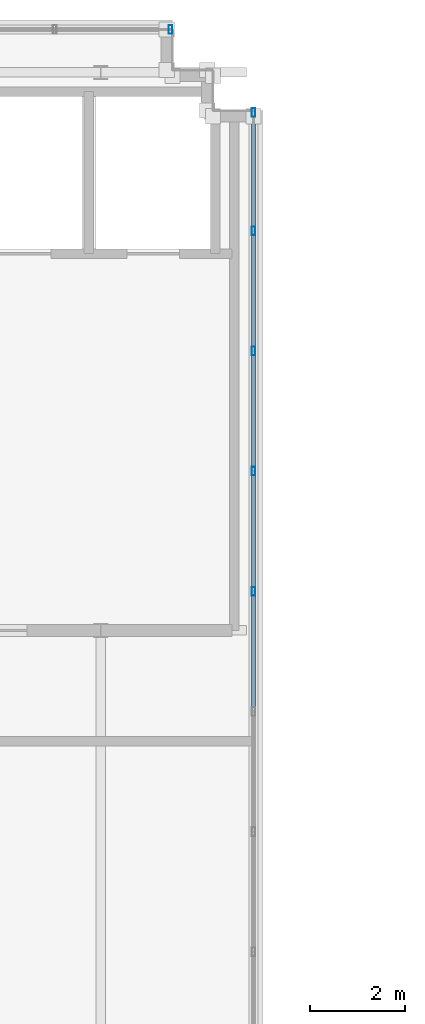
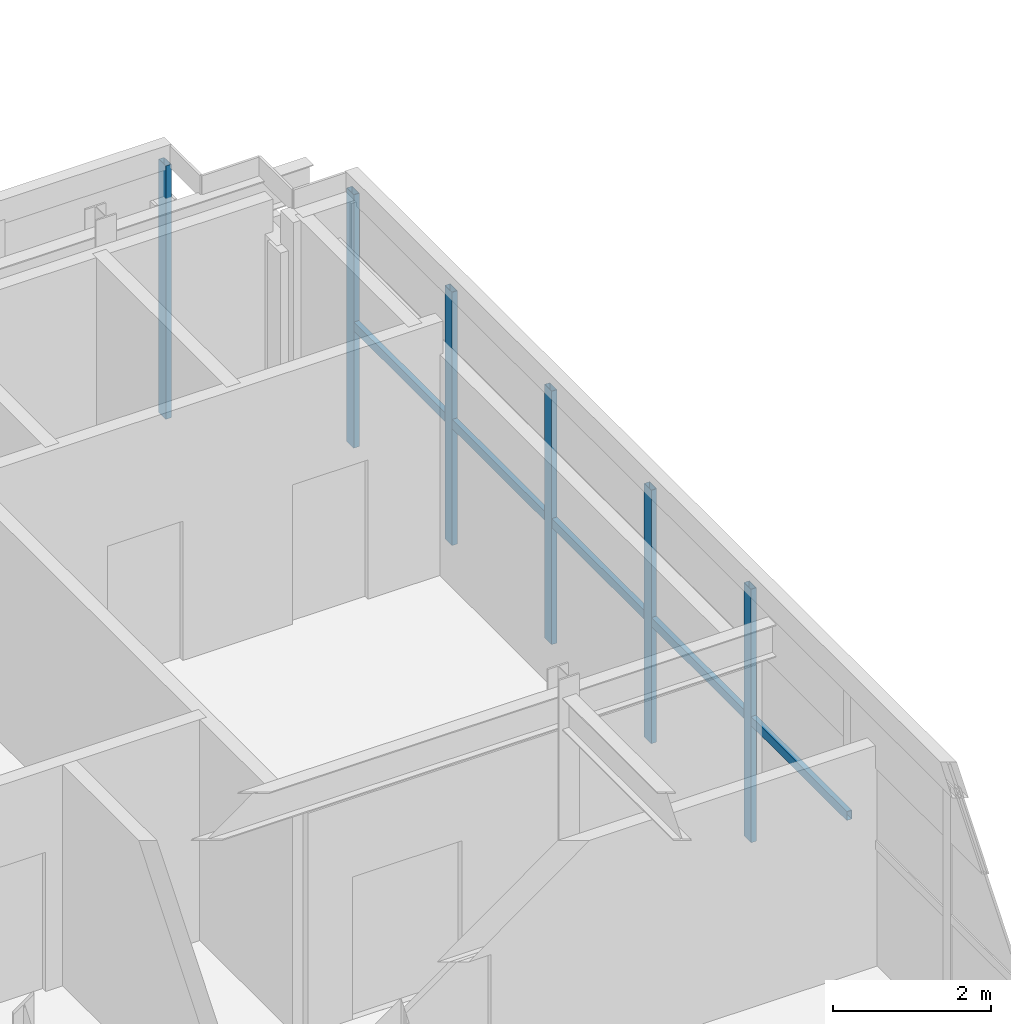
# One storey, part 11 of 25: 11 members, 2 elements without a shape of their own.
"""IFC4 building model written with IfcOpenShell, lengths in metres."""

from ifc_helpers import new_model, si_unit, direction, frame, origin, origin_2d, place, context, subcontext, project, spatial, hollow_rectangle, extrude, source, transform, mapped, material, material_profile, profile_set, type_object, element, aggregate, save


model = new_model("IFC4")

# Units and contexts
model_context = context("Model", 3, precision=1e-05, world=origin(), true_north=direction((0.0, 1.0)))
body_context = subcontext(model_context, "Body", "Model", "MODEL_VIEW")
ifc_project = project(units=[si_unit("LENGTHUNIT", "METRE"), si_unit("AREAUNIT", "SQUARE_METRE"), si_unit("VOLUMEUNIT", "CUBIC_METRE"), si_unit("PLANEANGLEUNIT", "RADIAN"), si_unit("MASSUNIT", "GRAM", prefix="KILO")], contexts=[model_context])

# Site, building, storey
site_placement = place(None, origin())
site = spatial("IfcSite", under=ifc_project, at=site_placement, CompositionType="ELEMENT")
building_placement = place(site_placement, origin())
building = spatial("IfcBuilding", under=site, at=building_placement, Name="Trelvane Seafront Commons", CompositionType="ELEMENT")
storey_placement = place(building_placement, frame((0.0, 0.0, 316.699951171875)))
storey = spatial("IfcBuildingStorey", under=building, at=storey_placement, Name="L82", CompositionType="ELEMENT", Elevation=316.699951171875)

# Curtain wall, member
ifc_material = material(Name="Anodised pale-silver aluminium", Category="aluminium")
curtain_wall_type = type_object("IfcCurtainWallType", Name="ARCH-CW6-CROWN", PredefinedType="NOTDEFINED", material=ifc_material)
curtain_wall_1_placement = place(storey_placement, origin())
curtain_wall_1 = element("IfcCurtainWall", 1, at=curtain_wall_1_placement, inside=storey, type_object=curtain_wall_type, Name="CW-L82-0153", PredefinedType="NOTDEFINED")
ifc_material_profile_1 = material_profile(ifc_material, hollow_rectangle(XDim=0.080078125, YDim=0.179931640625, WallThickness=0.00439453125, at=origin_2d()), Name="MULL-80x180x4.5")
ifc_profile_set_1 = profile_set([ifc_material_profile_1], Name="Anodised pale-silver aluminium")
member_type_1 = type_object("IfcMemberType", Name="ARCH-CW-MULL-180", PredefinedType="MULLION", material=ifc_profile_set_1)
shared_shape_1 = source(origin(), body_context, "Body", "SweptSolid", [
    extrude(hollow_rectangle(XDim=0.080078125, YDim=0.179931640625, WallThickness=0.00439453125, at=origin_2d()), origin(), (0.0, 0.0, 1.0), 3.91015625),
])
member_1_placement = place(storey_placement, frame((24.860107421875, 46.0, 0.0), z_axis=(0.0, 0.0, 1.0), x_axis=(1.0, 0.0, 0.0)))
member_1 = element("IfcMember", 2, at=member_1_placement, type_object=member_type_1, Name="CW-L82-0153-M06", PredefinedType="MULLION", context=body_context, shape_type="MappedRepresentation", body=[
    mapped(shared_shape_1, transform((0.0, 0.0, 0.0), x_axis=(1.0, 0.0, 0.0), y_axis=(0.0, 1.0, 0.0), z_axis=(0.0, 0.0, 1.0), scale=1.0)),
])
aggregate(curtain_wall_1, [member_1])

# Curtain wall, members
curtain_wall_2_placement = place(storey_placement, origin())
curtain_wall_2 = element("IfcCurtainWall", 3, at=curtain_wall_2_placement, inside=storey, type_object=curtain_wall_type, Name="CW-L82-0154", PredefinedType="NOTDEFINED")
member_2_placement = place(storey_placement, frame((26.60009765625, 44.260009765625, 0.0), z_axis=(0.0, 0.0, 1.0), x_axis=(1.0, 0.0, 0.0)))
member_2 = element("IfcMember", 4, at=member_2_placement, type_object=member_type_1, Name="CW-L82-0154-M00", PredefinedType="MULLION", context=body_context, shape_type="MappedRepresentation", body=[
    mapped(shared_shape_1, transform((0.0, 0.0, 0.0), x_axis=(1.0, 0.0, 0.0), y_axis=(0.0, 1.0, 0.0), z_axis=(0.0, 0.0, 1.0), scale=1.0)),
])
member_3_placement = place(storey_placement, frame((26.60009765625, 41.780029296875, 0.0), z_axis=(0.0, 0.0, 1.0), x_axis=(1.0, 0.0, 0.0)))
member_3 = element("IfcMember", 5, at=member_3_placement, type_object=member_type_1, Name="CW-L82-0154-M01", PredefinedType="MULLION", context=body_context, shape_type="MappedRepresentation", body=[
    mapped(shared_shape_1, transform((0.0, 0.0, 0.0), x_axis=(1.0, 0.0, 0.0), y_axis=(0.0, 1.0, 0.0), z_axis=(0.0, 0.0, 1.0), scale=1.0)),
])
member_4_placement = place(storey_placement, frame((26.60009765625, 39.260009765625, 0.0), z_axis=(0.0, 0.0, 1.0), x_axis=(1.0, 0.0, 0.0)))
member_4 = element("IfcMember", 6, at=member_4_placement, type_object=member_type_1, Name="CW-L82-0154-M02", PredefinedType="MULLION", context=body_context, shape_type="MappedRepresentation", body=[
    mapped(shared_shape_1, transform((0.0, 0.0, 0.0), x_axis=(1.0, 0.0, 0.0), y_axis=(0.0, 1.0, 0.0), z_axis=(0.0, 0.0, 1.0), scale=1.0)),
])
member_5_placement = place(storey_placement, frame((26.60009765625, 36.739990234375, 0.0), z_axis=(0.0, 0.0, 1.0), x_axis=(1.0, 0.0, 0.0)))
member_5 = element("IfcMember", 7, at=member_5_placement, type_object=member_type_1, Name="CW-L82-0154-M03", PredefinedType="MULLION", context=body_context, shape_type="MappedRepresentation", body=[
    mapped(shared_shape_1, transform((0.0, 0.0, 0.0), x_axis=(1.0, 0.0, 0.0), y_axis=(0.0, 1.0, 0.0), z_axis=(0.0, 0.0, 1.0), scale=1.0)),
])
member_6_placement = place(storey_placement, frame((26.60009765625, 34.219970703125, 0.0), z_axis=(0.0, 0.0, 1.0), x_axis=(1.0, 0.0, 0.0)))
member_6 = element("IfcMember", 8, at=member_6_placement, type_object=member_type_1, Name="CW-L82-0154-M04", PredefinedType="MULLION", context=body_context, shape_type="MappedRepresentation", body=[
    mapped(shared_shape_1, transform((0.0, 0.0, 0.0), x_axis=(1.0, 0.0, 0.0), y_axis=(0.0, 1.0, 0.0), z_axis=(0.0, 0.0, 1.0), scale=1.0)),
])
ifc_material_profile_2 = material_profile(ifc_material, hollow_rectangle(XDim=0.074951171875, YDim=0.139892578125, WallThickness=0.00390625, at=origin_2d()), Name="TRAN-75x140x4")
ifc_profile_set_2 = profile_set([ifc_material_profile_2], Name="Anodised pale-silver aluminium")
member_type_2 = type_object("IfcMemberType", Name="ARCH-CW-TRAN-140", PredefinedType="USERDEFINED", material=ifc_profile_set_2)
shared_shape_2 = source(origin(), body_context, "Body", "SweptSolid", [
    extrude(hollow_rectangle(XDim=0.074951171875, YDim=0.139892578125, WallThickness=0.00390625, at=origin_2d()), origin(), (0.0, 0.0, 1.0), 2.49609375),
])
member_7_placement = place(storey_placement, frame((26.60009765625, 44.2880859375, 1.876953125), z_axis=(0.0, -1.0, 0.0), x_axis=(1.0, 0.0, 0.0)))
member_7 = element("IfcMember", 9, at=member_7_placement, type_object=member_type_2, Name="CW-L82-0154-T00", ObjectType="TRANSOM", PredefinedType="USERDEFINED", context=body_context, shape_type="MappedRepresentation", body=[
    mapped(shared_shape_2, transform((0.0, 0.0, 0.0), x_axis=(1.0, 0.0, 0.0), y_axis=(0.0, 1.0, 0.0), z_axis=(0.0, 0.0, 1.0), scale=1.0)),
])
member_8_placement = place(storey_placement, frame((26.60009765625, 41.76806640625, 1.876953125), z_axis=(0.0, -1.0, 0.0), x_axis=(1.0, 0.0, 0.0)))
member_8 = element("IfcMember", 10, at=member_8_placement, type_object=member_type_2, Name="CW-L82-0154-T01", ObjectType="TRANSOM", PredefinedType="USERDEFINED", context=body_context, shape_type="MappedRepresentation", body=[
    mapped(shared_shape_2, transform((0.0, 0.0, 0.0), x_axis=(1.0, 0.0, 0.0), y_axis=(0.0, 1.0, 0.0), z_axis=(0.0, 0.0, 1.0), scale=1.0)),
])
member_9_placement = place(storey_placement, frame((26.60009765625, 39.248046875, 1.876953125), z_axis=(0.0, -1.0, 0.0), x_axis=(1.0, 0.0, 0.0)))
member_9 = element("IfcMember", 11, at=member_9_placement, type_object=member_type_2, Name="CW-L82-0154-T02", ObjectType="TRANSOM", PredefinedType="USERDEFINED", context=body_context, shape_type="MappedRepresentation", body=[
    mapped(shared_shape_2, transform((0.0, 0.0, 0.0), x_axis=(1.0, 0.0, 0.0), y_axis=(0.0, 1.0, 0.0), z_axis=(0.0, 0.0, 1.0), scale=1.0)),
])
member_10_placement = place(storey_placement, frame((26.60009765625, 36.72802734375, 1.876953125), z_axis=(0.0, -1.0, 0.0), x_axis=(1.0, 0.0, 0.0)))
member_10 = element("IfcMember", 12, at=member_10_placement, type_object=member_type_2, Name="CW-L82-0154-T03", ObjectType="TRANSOM", PredefinedType="USERDEFINED", context=body_context, shape_type="MappedRepresentation", body=[
    mapped(shared_shape_2, transform((0.0, 0.0, 0.0), x_axis=(1.0, 0.0, 0.0), y_axis=(0.0, 1.0, 0.0), z_axis=(0.0, 0.0, 1.0), scale=1.0)),
])
member_11_placement = place(storey_placement, frame((26.60009765625, 34.2080078125, 1.876953125), z_axis=(0.0, -1.0, 0.0), x_axis=(1.0, 0.0, 0.0)))
member_11 = element("IfcMember", 13, at=member_11_placement, type_object=member_type_2, Name="CW-L82-0154-T04", ObjectType="TRANSOM", PredefinedType="USERDEFINED", context=body_context, shape_type="MappedRepresentation", body=[
    mapped(shared_shape_2, transform((0.0, 0.0, 0.0), x_axis=(1.0, 0.0, 0.0), y_axis=(0.0, 1.0, 0.0), z_axis=(0.0, 0.0, 1.0), scale=1.0)),
])
aggregate(curtain_wall_2, [member_2, member_3, member_4, member_5, member_6, member_7, member_8, member_9, member_10, member_11])

save(model, "model.ifc")
